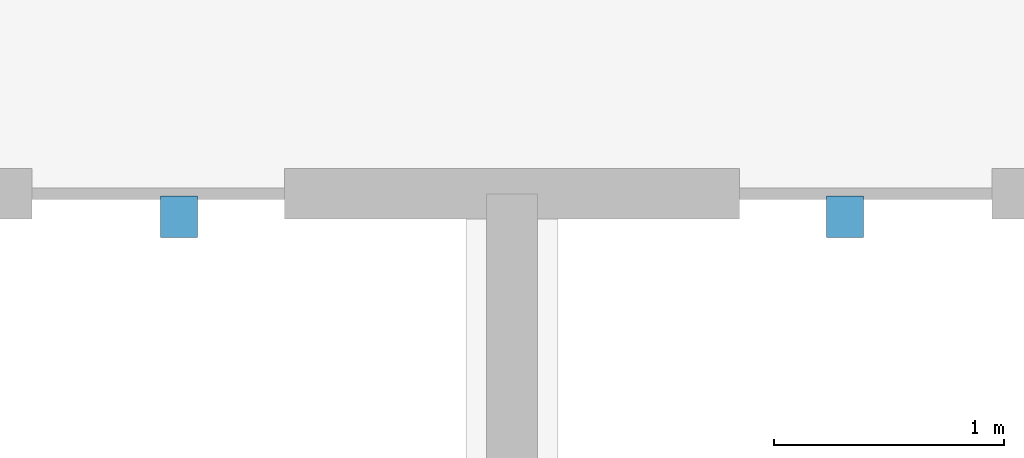
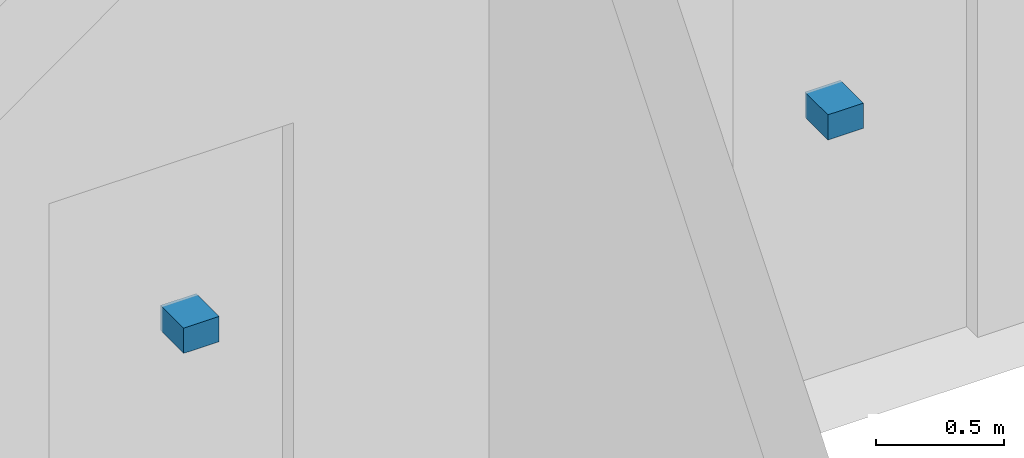
# One storey, part 3 of 5: 2 discrete accessories.
"""IFC4 building model written with IfcOpenShell, lengths in metres."""

import ifcopenshell
import ifcopenshell.guid

model = None  # the IFC model being written
_history = None  # IfcOwnerHistory: only IFC2X3 demands one
_inside = {}  # id of a spatial element -> (the spatial element, [elements in it])
_under = {}  # id of a project, library or spatial element -> (it, [spatial elements below it])
_declared = {}  # id of a project -> (the project, [libraries it declares])
_typed = {}  # id of a type object -> (the type object, [elements of that type])
_made_of = {}  # id of a material, layer set ... -> (it, [elements and type objects made of it])


def new_model(schema):
    """Start an empty IFC model of exactly this schema.

    Asked for "IFC4X3", IfcOpenShell would pick the latest addendum, in which some entities
    have other attributes; the version numbers below select the first issue.
    IFC2X3 requires an IfcOwnerHistory on every rooted entity: one is made here for all.
    """
    global model, _history
    if schema == "IFC4X3":
        model = ifcopenshell.file(schema_version=(4, 3, 0, 0))
    else:
        model = ifcopenshell.file(schema=schema)
    _inside.clear()
    _under.clear()
    _declared.clear()
    _typed.clear()
    _made_of.clear()
    _history = None
    if model.schema == "IFC2X3":
        org = make("IfcOrganization", Name="unknown")
        user = make(
            "IfcPersonAndOrganization",
            ThePerson=make("IfcPerson", FamilyName="unknown"),
            TheOrganization=org,
        )
        app = make(
            "IfcApplication",
            ApplicationDeveloper=org,
            Version="unknown",
            ApplicationFullName="unknown",
            ApplicationIdentifier="unknown",
        )
        _history = make(
            "IfcOwnerHistory",
            OwningUser=user,
            OwningApplication=app,
            ChangeAction="ADDED",
            CreationDate=0,
        )
    return model


def make(cls, **values):
    """One entity of the class cls with the attributes given. An attribute that is None is left unset."""
    return model.create_entity(
        cls, **{name: value for name, value in values.items() if value is not None}
    )


def rooted(cls, **values):
    """An entity with a GlobalId (a new one), such as an element, a storey or a relation."""
    return make(cls, GlobalId=ifcopenshell.guid.new(), OwnerHistory=_history, **values)


def si_unit(unit_type, name, prefix=None):
    """IfcSIUnit, for example si_unit("LENGTHUNIT", "METRE", prefix="MILLI")."""
    return make("IfcSIUnit", UnitType=unit_type, Prefix=prefix, Name=name)


def assignment(units):
    """IfcUnitAssignment: the units of a project."""
    return None if units is None else make("IfcUnitAssignment", Units=units)


def point(xyz):
    """IfcCartesianPoint."""
    return None if xyz is None else make("IfcCartesianPoint", Coordinates=xyz)


def direction(xyz):
    """IfcDirection."""
    return None if xyz is None else make("IfcDirection", DirectionRatios=xyz)


def frame(location, z_axis=None, x_axis=None):
    """IfcAxis2Placement3D, a coordinate frame: its origin and axes. An axis left out is left unset."""
    return make(
        "IfcAxis2Placement3D",
        Location=point(location),
        Axis=direction(z_axis),
        RefDirection=direction(x_axis),
    )


def frame_2d(location, x_axis=None):
    """IfcAxis2Placement2D, a coordinate frame in the plane: its origin and x axis."""
    return make(
        "IfcAxis2Placement2D", Location=point(location), RefDirection=direction(x_axis)
    )


def origin():
    """The frame at (0, 0, 0) with its axes left unset."""
    return frame((0.0, 0.0, 0.0))


def origin_2d():
    """The frame at (0, 0) in the plane with its x axis left unset."""
    return frame_2d((0.0, 0.0))


def place(relative_to, where):
    """IfcLocalPlacement: puts the frame where relative to a parent placement (None: the world)."""
    return make(
        "IfcLocalPlacement", PlacementRelTo=relative_to, RelativePlacement=where
    )


def context(
    kind, dimensions, precision=None, world=None, true_north=None, identifier=None
):
    """IfcGeometricRepresentationContext, for example the 3D "Model" context."""
    return make(
        "IfcGeometricRepresentationContext",
        ContextIdentifier=identifier,
        ContextType=kind,
        CoordinateSpaceDimension=dimensions,
        Precision=precision,
        WorldCoordinateSystem=world,
        TrueNorth=true_north,
    )


def subcontext(parent, identifier, kind, view, scale=None):
    """IfcGeometricRepresentationSubContext, for example "Body" below "Model"."""
    return make(
        "IfcGeometricRepresentationSubContext",
        ContextIdentifier=identifier,
        ContextType=kind,
        ParentContext=parent,
        TargetScale=scale,
        TargetView=view,
    )


def project(units=None, contexts=None):
    """IfcProject with its units and contexts."""
    return rooted(
        "IfcProject",
        Name="project",
        RepresentationContexts=contexts,
        UnitsInContext=assignment(units),
    )


def spatial(cls, under=None, at=None, **own):
    """A site, building, storey or space (cls), placed at a placement, below another one or the project."""
    s = rooted(cls, ObjectPlacement=at, **own)
    if under is not None:
        _under.setdefault(under.id(), (under, []))[1].append(s)
    return s


def profile(cls, at=None, kind="AREA", **sizes):
    """A parametric profile (cls). Its sizes go by their IFC names, for example OverallWidth=200.0."""
    return make(cls, ProfileType=kind, Position=at, **sizes)


def rectangle(**sizes):
    """IfcRectangleProfileDef."""
    return profile("IfcRectangleProfileDef", **sizes)


def extrude(swept, where, along, depth):
    """IfcExtrudedAreaSolid: the profile swept, set in the frame where, extruded along a direction by depth."""
    return make(
        "IfcExtrudedAreaSolid",
        SweptArea=swept,
        Position=where,
        ExtrudedDirection=direction(along),
        Depth=depth,
    )


def shape(context_of_items, identifier, shape_type, items):
    """IfcShapeRepresentation: the items that make up one representation, for example the "Body"."""
    return make(
        "IfcShapeRepresentation",
        ContextOfItems=context_of_items,
        RepresentationIdentifier=identifier,
        RepresentationType=shape_type,
        Items=items,
    )


def material(Name=None, Category=None):
    """IfcMaterial."""
    return make("IfcMaterial", Name=Name, Category=Category)


def made_of(thing, what):
    """Note that an element or type object is made of a material, layer set ...; save() writes the relation."""
    if what is not None:
        _made_of.setdefault(what.id(), (what, []))[1].append(thing)
    return thing


def type_object(cls, material=None, **own):
    """A type object (cls), such as IfcWallType, which elements share."""
    return made_of(rooted(cls, **own), material)


def element(
    cls,
    number,
    at=None,
    inside=None,
    cuts=None,
    type_object=None,
    material=None,
    context=None,
    identifier="Body",
    shape_type=None,
    held_by="IfcProductDefinitionShape",
    body=None,
    shapes=None,
    **own,
):
    """One element of the class cls, such as IfcWall. Its Tag is "e" and its number.

    at: its placement. inside: the storey or other place that contains it. cuts: it is an
    opening in that element (IfcRelVoidsElement). A single representation is given by context,
    identifier, shape_type and body (its items); several are given by shapes. held_by: the class
    of the entity that holds the representations. save() writes the other relations.
    """
    e = rooted(cls, Tag="e%d" % number, ObjectPlacement=at, **own)
    if body is not None:
        shapes = [shape(context, identifier, shape_type, body)]
    if shapes is not None:
        e.Representation = make(held_by, Representations=shapes)
    if inside is not None:
        _inside.setdefault(inside.id(), (inside, []))[1].append(e)
    if cuts is not None:
        rooted(
            "IfcRelVoidsElement", RelatingBuildingElement=cuts, RelatedOpeningElement=e
        )
    if type_object is not None:
        _typed.setdefault(type_object.id(), (type_object, []))[1].append(e)
    return made_of(e, material)


def aggregate(whole, parts):
    """IfcRelAggregates: a whole, such as a stair, and the parts it consists of."""
    return rooted("IfcRelAggregates", RelatingObject=whole, RelatedObjects=parts)


def save(model, path):
    """Write the relations noted so far, then the file.

    IfcRelAggregates (storeys below a building ...), IfcRelContainedInSpatialStructure (elements
    in a storey), IfcRelDefinesByType, IfcRelAssociatesMaterial and IfcRelDeclares: one each for
    every whole, place, type object, material and project.
    """
    for whole, parts in _under.values():
        aggregate(whole, parts)
    for where, things in _inside.values():
        rooted(
            "IfcRelContainedInSpatialStructure",
            RelatedElements=things,
            RelatingStructure=where,
        )
    for kind, things in _typed.values():
        rooted("IfcRelDefinesByType", RelatedObjects=things, RelatingType=kind)
    for what, things in _made_of.values():
        rooted("IfcRelAssociatesMaterial", RelatedObjects=things, RelatingMaterial=what)
    for by, libraries in _declared.values():
        rooted("IfcRelDeclares", RelatingContext=by, RelatedDefinitions=libraries)
    model.write(path)


model = new_model("IFC4")

# Units and contexts
model_context = context("Model", 3, precision=1e-05, world=origin(), true_north=direction((0.0, 1.0)))
body_context = subcontext(model_context, "Body", "Model", "MODEL_VIEW")
ifc_project = project(units=[si_unit("LENGTHUNIT", "METRE"), si_unit("AREAUNIT", "SQUARE_METRE"), si_unit("VOLUMEUNIT", "CUBIC_METRE"), si_unit("PLANEANGLEUNIT", "RADIAN"), si_unit("MASSUNIT", "GRAM", prefix="KILO")], contexts=[model_context])

# Site, building, storey
site_placement = place(None, origin())
site = spatial("IfcSite", under=ifc_project, at=site_placement, CompositionType="ELEMENT")
building_placement = place(site_placement, origin())
building = spatial("IfcBuilding", under=site, at=building_placement, Name="Kazevale Care Tower and Concert Hall", CompositionType="ELEMENT")
storey_placement = place(building_placement, frame((0.0, 0.0, 296.800048828125)))
storey = spatial("IfcBuildingStorey", under=building, at=storey_placement, Name="L78", CompositionType="ELEMENT", Elevation=296.800048828125)

# Discrete accessories
ifc_material = material(Name="Stainless Steel 316", Category="steel")
discrete_accessory_type = type_object("IfcDiscreteAccessoryType", Name="Hoistway Guide-Rail Wall Bracket HBRK-1", PredefinedType="BRACKET", material=ifc_material)
for number, where, z_axis, x_axis, name in (
    (1, (31.550048828125, 26.52001953125, 1.239990234375), (0.0, 0.0, 1.0), (1.0, 0.0, 0.0), "hbrk:FFL-1:L78"),
    (2, (34.449951171875, 26.52001953125, 1.239990234375), (0.0, 0.0, 1.0), (1.0, 0.0, 0.0), "hbrk:FFL-2:L78"),
):
    element("IfcDiscreteAccessory", number, at=place(storey_placement, frame(where, z_axis=z_axis, x_axis=x_axis)), inside=storey, type_object=discrete_accessory_type, Name=name, PredefinedType="BRACKET", context=body_context, shape_type="SweptSolid", body=[
        extrude(rectangle(XDim=0.159912109375, YDim=0.179931640625, at=origin_2d()), origin(), (0.0, 0.0, 1.0), 0.1201171875),
    ])

save(model, "model.ifc")
